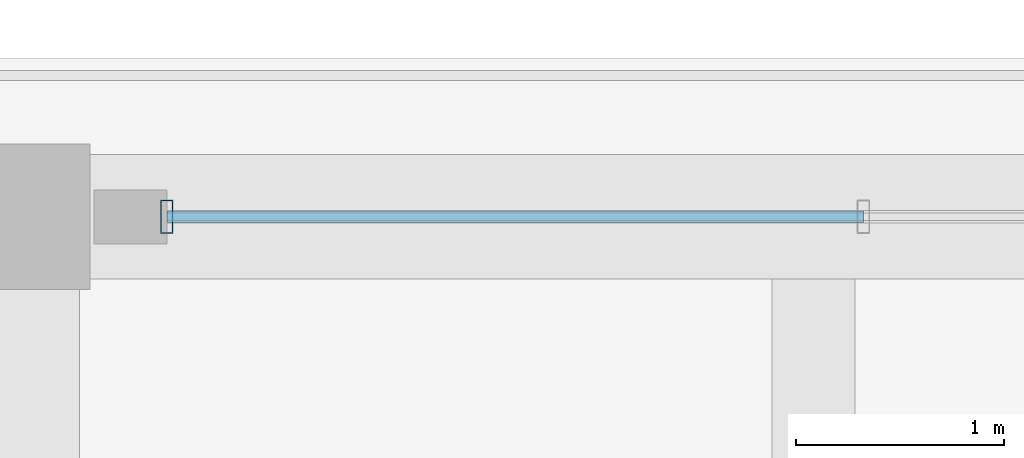
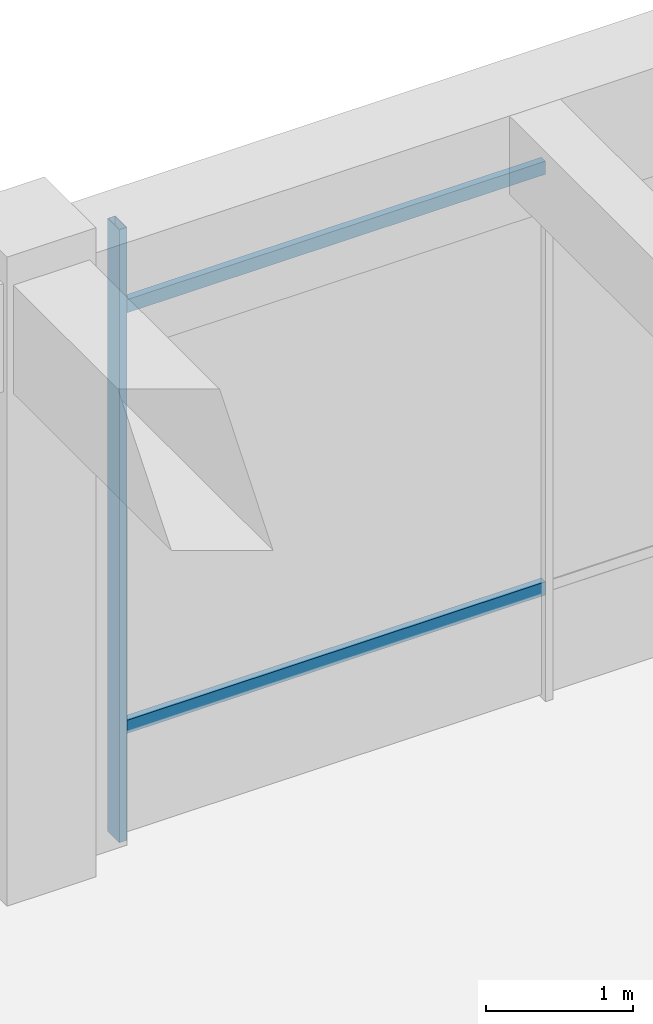
# One storey, part 66 of 148: 3 members, 1 element without a shape of its own.
"""IFC4 building model written with IfcOpenShell, lengths in metres."""

from ifc_helpers import new_model, si_unit, direction, frame, origin, origin_2d, place, context, subcontext, project, spatial, hollow_rectangle, extrude, material, material_profile, profile_set, type_object, element, aggregate, save


model = new_model("IFC4")

# Units and contexts
model_context = context("Model", 3, precision=1e-05, world=origin(), true_north=direction((0.0, 1.0)))
body_context = subcontext(model_context, "Body", "Model", "MODEL_VIEW")
ifc_project = project(units=[si_unit("LENGTHUNIT", "METRE"), si_unit("AREAUNIT", "SQUARE_METRE"), si_unit("VOLUMEUNIT", "CUBIC_METRE"), si_unit("PLANEANGLEUNIT", "RADIAN"), si_unit("MASSUNIT", "GRAM", prefix="KILO")], contexts=[model_context])

# Site, building, storey
site_placement = place(None, origin())
site = spatial("IfcSite", under=ifc_project, at=site_placement, CompositionType="ELEMENT")
building_placement = place(site_placement, origin())
building = spatial("IfcBuilding", under=site, at=building_placement, Name="Ologun Quay Terminus", CompositionType="ELEMENT")
storey_placement = place(building_placement, frame((0.0, 0.0, 8.39990234375)))
storey = spatial("IfcBuildingStorey", under=building, at=storey_placement, Name="L02", CompositionType="ELEMENT", Elevation=8.39990234375)

# Curtain wall, members
ifc_material_1 = material(Name="Aluminium 6063-T6", Category="aluminium")
curtain_wall_type = type_object("IfcCurtainWallType", Name="Courtyard Overlook Concourse Curtain Wall 10700x4750", PredefinedType="USERDEFINED", material=ifc_material_1)
curtain_wall_placement = place(storey_placement, origin())
curtain_wall = element("IfcCurtainWall", 1, at=curtain_wall_placement, inside=storey, type_object=curtain_wall_type, Name="CW-12 Curtain Wall CW-L02-082", ObjectType="UNITISED CURTAIN WALL", PredefinedType="USERDEFINED")
ifc_material_2 = material(Name="Aluminium 6063-T6", Category="aluminium")
ifc_material_profile_1 = material_profile(ifc_material_2, hollow_rectangle(XDim=0.06005859375, YDim=0.159912109375, WallThickness=0.00390625, at=origin_2d()), Name="ALU 160x60x4")
ifc_profile_set_1 = profile_set([ifc_material_profile_1], Name="Aluminium 6063-T6")
member_type_1 = type_object("IfcMemberType", Name="Courtyard Screen Mullion 160x65", PredefinedType="MULLION", material=ifc_profile_set_1)
member_1_placement = place(storey_placement, frame((92.719970703125, 84.199951171875, 0.0), z_axis=(0.0, 0.0, 1.0), x_axis=(1.0, 0.0, 0.0)))
member_1 = element("IfcMember", 2, at=member_1_placement, type_object=member_type_1, Name="CW-L02-082 Mullion 1", PredefinedType="MULLION", context=body_context, shape_type="SweptSolid", body=[
    extrude(hollow_rectangle(XDim=0.06005859375, YDim=0.159912109375, WallThickness=0.00390625, at=origin_2d()), origin(), (0.0, 0.0, 1.0), 5.10009765625),
])
ifc_material_3 = material(Name="Aluminium 6063-T6", Category="aluminium")
ifc_material_profile_2 = material_profile(ifc_material_3, hollow_rectangle(XDim=0.054931640625, YDim=0.110107421875, WallThickness=0.00390625, at=origin_2d()), Name="ALU 110x55x4")
ifc_profile_set_2 = profile_set([ifc_material_profile_2], Name="Aluminium 6063-T6")
member_type_2 = type_object("IfcMemberType", Name="Courtyard Screen Transom 110x55", PredefinedType="USERDEFINED", material=ifc_profile_set_2)
member_2_placement = place(storey_placement, frame((92.719970703125, 84.199951171875, 0.900146484375), z_axis=(1.0, 0.0, 0.0), x_axis=(0.0, 1.0, 0.0)))
member_2 = element("IfcMember", 3, at=member_2_placement, type_object=member_type_2, Name="CW-L02-082 Transom B1-1", ObjectType="TRANSOM", PredefinedType="USERDEFINED", context=body_context, shape_type="SweptSolid", body=[
    extrude(hollow_rectangle(XDim=0.054931640625, YDim=0.110107421875, WallThickness=0.00390625, at=origin_2d()), origin(), (0.0, 0.0, 1.0), 3.353271484375),
])
member_3_placement = place(storey_placement, frame((92.719970703125, 84.199951171875, 4.400146484375), z_axis=(1.0, 0.0, 0.0), x_axis=(0.0, 1.0, 0.0)))
member_3 = element("IfcMember", 4, at=member_3_placement, type_object=member_type_2, Name="CW-L02-082 Transom B1-2", ObjectType="TRANSOM", PredefinedType="USERDEFINED", context=body_context, shape_type="SweptSolid", body=[
    extrude(hollow_rectangle(XDim=0.054931640625, YDim=0.110107421875, WallThickness=0.00390625, at=origin_2d()), origin(), (0.0, 0.0, 1.0), 3.353271484375),
])
aggregate(curtain_wall, [member_1, member_2, member_3])

save(model, "model.ifc")
